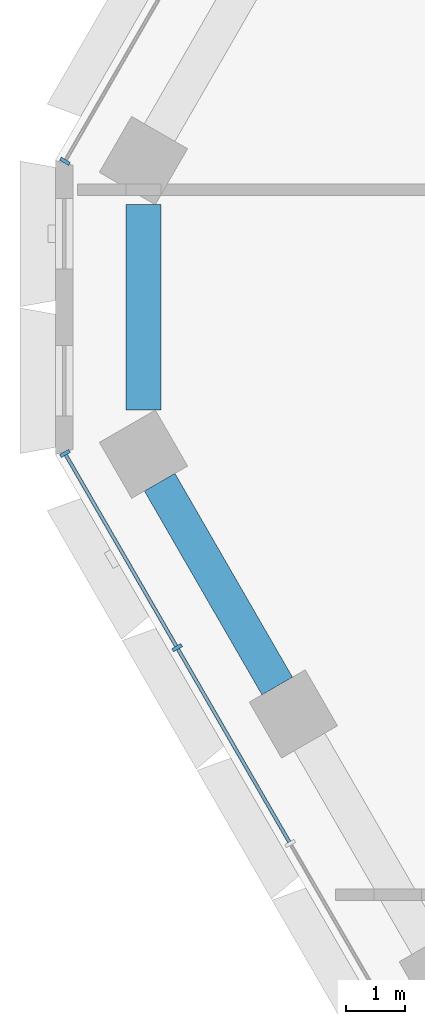
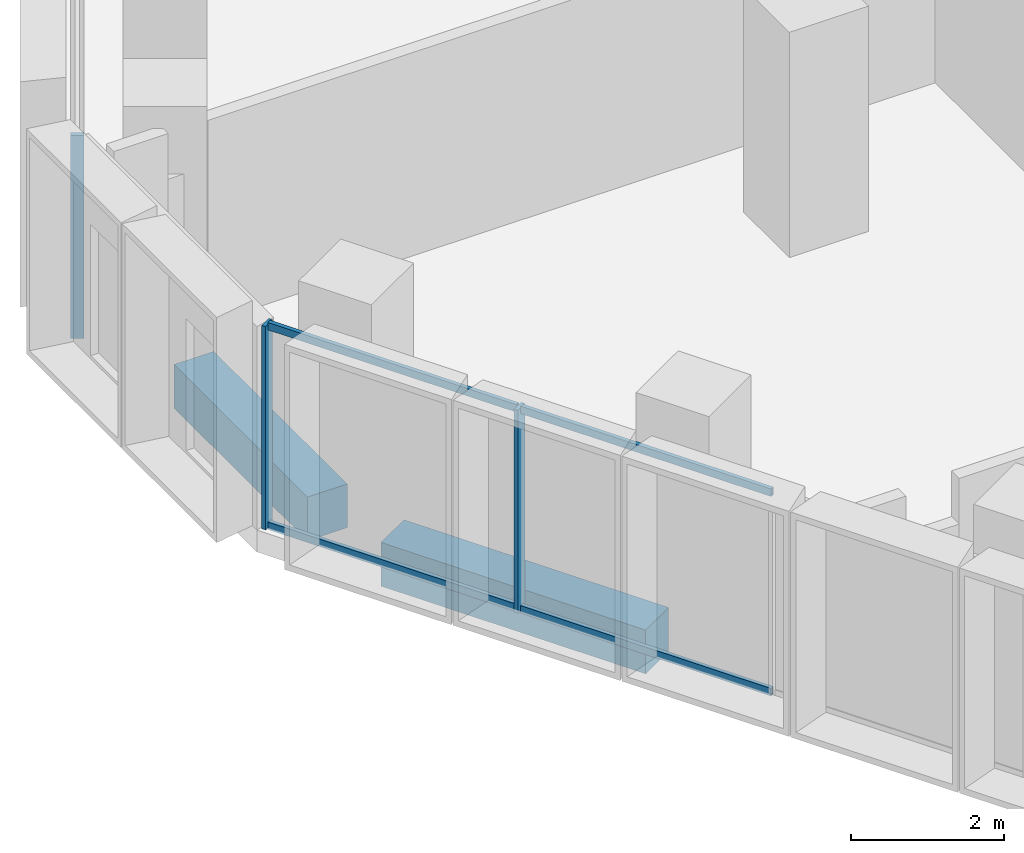
# One storey, part 3 of 25: 7 members, 2 beams, 2 elements without a shape of their own.
"""IFC4 building model written with IfcOpenShell, lengths in metres."""

from ifc_helpers import new_model, si_unit, direction, frame, origin, origin_2d, place, context, subcontext, project, spatial, rectangle, hollow_rectangle, extrude, material, material_profile, profile_set, type_object, element, aggregate, save


model = new_model("IFC4")

# Units and contexts
model_context = context("Model", 3, precision=1e-05, world=origin(), true_north=direction((0.0, 1.0)))
body_context = subcontext(model_context, "Body", "Model", "MODEL_VIEW")
ifc_project = project(units=[si_unit("LENGTHUNIT", "METRE"), si_unit("AREAUNIT", "SQUARE_METRE"), si_unit("VOLUMEUNIT", "CUBIC_METRE"), si_unit("PLANEANGLEUNIT", "RADIAN"), si_unit("MASSUNIT", "GRAM", prefix="KILO")], contexts=[model_context])

# Site, building, storey
site_placement = place(None, origin())
site = spatial("IfcSite", under=ifc_project, at=site_placement, CompositionType="ELEMENT")
building_placement = place(site_placement, origin())
building = spatial("IfcBuilding", under=site, at=building_placement, Name="Beryl Residences", CompositionType="ELEMENT")
storey_placement = place(building_placement, frame((0.0, 0.0, 16.199951171875)))
storey = spatial("IfcBuildingStorey", under=building, at=storey_placement, Name="L04", CompositionType="ELEMENT", Elevation=16.199951171875)

# Curtain wall, member
ifc_material_1 = material(Name="Aluminium and clear glass", Category="aluminium")
curtain_wall_type = type_object("IfcCurtainWallType", Name="CW2 amenity glazing glazed wall", PredefinedType="NOTDEFINED", material=ifc_material_1)
curtain_wall_1_placement = place(storey_placement, origin())
curtain_wall_1 = element("IfcCurtainWall", 1, at=curtain_wall_1_placement, inside=storey, type_object=curtain_wall_type, Name="CW2 L04 NW", PredefinedType="NOTDEFINED")
ifc_material_2 = material(Name="Aluminium", Category="aluminium")
ifc_material_profile_1 = material_profile(ifc_material_2, rectangle(XDim=0.06005859375, YDim=0.179931640625, at=origin_2d()))
ifc_profile_set_1 = profile_set([ifc_material_profile_1], Name="Aluminium")
member_type_1 = type_object("IfcMemberType", Name="CW2-M mullion 60 x 180 mm", PredefinedType="MULLION", material=ifc_profile_set_1)
member_1_placement = place(storey_placement, frame((-31.18505859375, 2.486083984375, 0.0), z_axis=(0.0, 0.0, 1.0), x_axis=(-0.500011643322, -0.866018681405, 0.0)))
member_1 = element("IfcMember", 2, at=member_1_placement, type_object=member_type_1, Name="CW2 mullion 8", PredefinedType="MULLION", context=body_context, shape_type="SweptSolid", body=[
    extrude(rectangle(XDim=0.06005859375, YDim=0.179931640625, at=origin_2d()), origin(), (0.0, 0.0, 1.0), 3.25),
])
aggregate(curtain_wall_1, [member_1])

# Curtain wall, members
curtain_wall_2_placement = place(storey_placement, origin())
curtain_wall_2 = element("IfcCurtainWall", 3, at=curtain_wall_2_placement, inside=storey, type_object=curtain_wall_type, Name="CW2 L04 SW", PredefinedType="NOTDEFINED")
member_2_placement = place(storey_placement, frame((-31.18505859375, -2.486083984375, 0.0), z_axis=(0.0, 0.0, 1.0), x_axis=(0.500011643322, -0.866018681405, 0.0)))
member_2 = element("IfcMember", 4, at=member_2_placement, type_object=member_type_1, Name="CW2 mullion 1", PredefinedType="MULLION", context=body_context, shape_type="SweptSolid", body=[
    extrude(rectangle(XDim=0.06005859375, YDim=0.179931640625, at=origin_2d()), origin(), (0.0, 0.0, 1.0), 3.25),
])
member_3_placement = place(storey_placement, frame((-29.275634765625, -5.79296875, 0.0), z_axis=(0.0, 0.0, 1.0), x_axis=(0.500011643322, -0.866018681405, 0.0)))
member_3 = element("IfcMember", 5, at=member_3_placement, type_object=member_type_1, Name="CW2 mullion 2", PredefinedType="MULLION", context=body_context, shape_type="SweptSolid", body=[
    extrude(rectangle(XDim=0.06005859375, YDim=0.179931640625, at=origin_2d()), origin(), (0.0, 0.0, 1.0), 3.25),
])
ifc_material_3 = material(Name="Aluminium", Category="aluminium")
ifc_material_profile_2 = material_profile(ifc_material_3, hollow_rectangle(XDim=0.06005859375, YDim=0.1201171875, WallThickness=0.00390625, at=origin_2d()))
ifc_profile_set_2 = profile_set([ifc_material_profile_2], Name="Aluminium")
member_type_2 = type_object("IfcMemberType", Name="CW2-T transom 60 x 120 mm", PredefinedType="USERDEFINED", material=ifc_profile_set_2)
member_4_placement = place(storey_placement, frame((-31.169921875, -2.511962890625, 0.030029296875), z_axis=(0.499988609959, -0.866031979728, 0.0), x_axis=(0.866031979728, 0.499988609959, 0.0)))
member_4 = element("IfcMember", 6, at=member_4_placement, type_object=member_type_2, Name="CW2 transom 1.1", ObjectType="TRANSOM", PredefinedType="USERDEFINED", context=body_context, shape_type="SweptSolid", body=[
    extrude(hollow_rectangle(XDim=0.06005859375, YDim=0.1201171875, WallThickness=0.00390625, at=origin_2d()), origin(), (0.0, 0.0, 1.0), 3.75830078125),
])
member_5_placement = place(storey_placement, frame((-31.169921875, -2.511962890625, 3.219970703125), z_axis=(0.499988609959, -0.866031979728, 0.0), x_axis=(0.866031979728, 0.499988609959, 0.0)))
member_5 = element("IfcMember", 7, at=member_5_placement, type_object=member_type_2, Name="CW2 transom 1.2", ObjectType="TRANSOM", PredefinedType="USERDEFINED", context=body_context, shape_type="SweptSolid", body=[
    extrude(hollow_rectangle(XDim=0.06005859375, YDim=0.1201171875, WallThickness=0.00390625, at=origin_2d()), origin(), (0.0, 0.0, 1.0), 3.75830078125),
])
member_6_placement = place(storey_placement, frame((-29.2607421875, -5.81884765625, 0.030029296875), z_axis=(0.499999503755, -0.866025690291, 0.0), x_axis=(0.866025690291, 0.499999503755, 0.0)))
member_6 = element("IfcMember", 8, at=member_6_placement, type_object=member_type_2, Name="CW2 transom 2.1", ObjectType="TRANSOM", PredefinedType="USERDEFINED", context=body_context, shape_type="SweptSolid", body=[
    extrude(hollow_rectangle(XDim=0.06005859375, YDim=0.1201171875, WallThickness=0.00390625, at=origin_2d()), origin(), (0.0, 0.0, 1.0), 3.78857421875),
])
member_7_placement = place(storey_placement, frame((-29.2607421875, -5.81884765625, 3.219970703125), z_axis=(0.499999503755, -0.866025690291, 0.0), x_axis=(0.866025690291, 0.499999503755, 0.0)))
member_7 = element("IfcMember", 9, at=member_7_placement, type_object=member_type_2, Name="CW2 transom 2.2", ObjectType="TRANSOM", PredefinedType="USERDEFINED", context=body_context, shape_type="SweptSolid", body=[
    extrude(hollow_rectangle(XDim=0.06005859375, YDim=0.1201171875, WallThickness=0.00390625, at=origin_2d()), origin(), (0.0, 0.0, 1.0), 3.78857421875),
])
aggregate(curtain_wall_2, [member_2, member_3, member_4, member_5, member_6, member_7])

# Beams
ifc_material_4 = material(Name="Concrete C80/95", Category="concrete")
ifc_material_profile_3 = material_profile(ifc_material_4, rectangle(XDim=0.60009765625, YDim=0.699951171875, at=origin_2d()))
ifc_profile_set_3 = profile_set([ifc_material_profile_3], Name="Concrete C80/95")
beam_type = type_object("IfcBeamType", Name="SB1 spandrel beam 600 x 700 C80/95", PredefinedType="SPANDREL", material=ifc_profile_set_3)
beam_1_placement = place(storey_placement, frame((-29.84912109375, 1.748046875, -0.699951171875), z_axis=(0.000349064486, -0.999999939077, 0.0), x_axis=(0.999999939077, 0.000349064486, 0.0)))
element("IfcBeam", 10, at=beam_1_placement, inside=storey, type_object=beam_type, Name="SB1 L04 NW-5", PredefinedType="SPANDREL", context=body_context, shape_type="SweptSolid", body=[
    extrude(rectangle(XDim=0.60009765625, YDim=0.699951171875, at=origin_2d()), origin(), (0.0, 0.0, 1.0), 3.4970703125),
])
beam_2_placement = place(storey_placement, frame((-29.572998046875, -2.97607421875, -0.699951171875), z_axis=(0.499653843024, -0.866225165388, 0.0), x_axis=(0.866225165388, 0.499653843024, 0.0)))
element("IfcBeam", 11, at=beam_2_placement, inside=storey, type_object=beam_type, Name="SB1 L04 SW-0", PredefinedType="SPANDREL", context=body_context, shape_type="SweptSolid", body=[
    extrude(rectangle(XDim=0.60009765625, YDim=0.699951171875, at=origin_2d()), origin(), (0.0, 0.0, 1.0), 4.004638671875),
])

save(model, "model.ifc")
